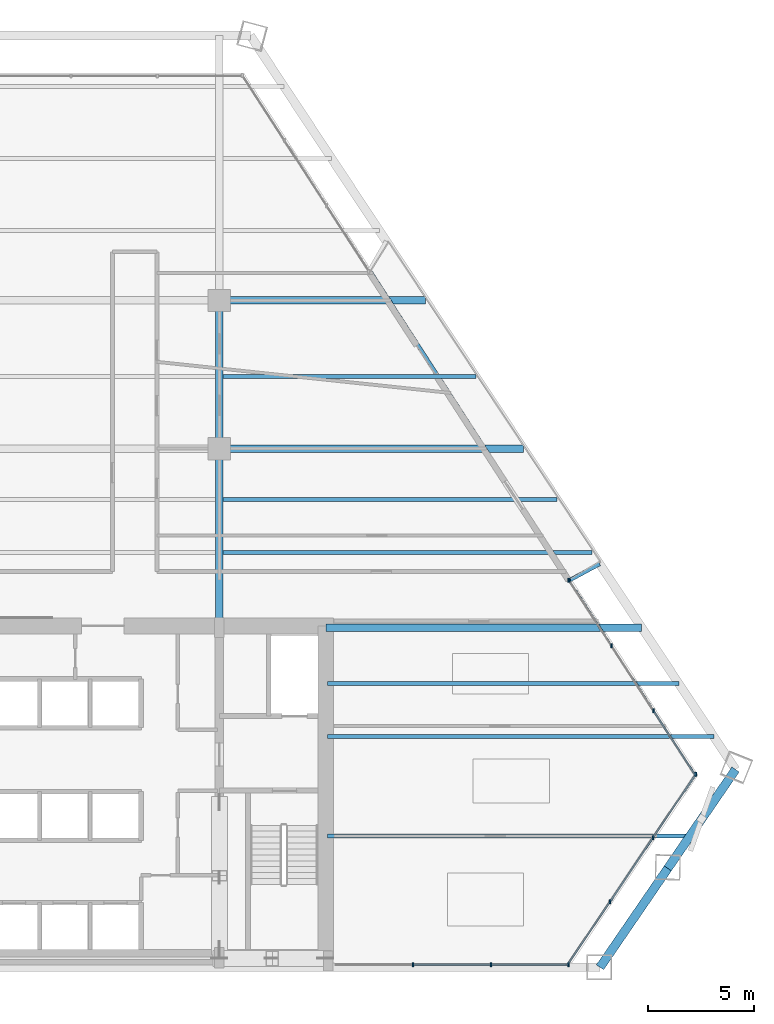
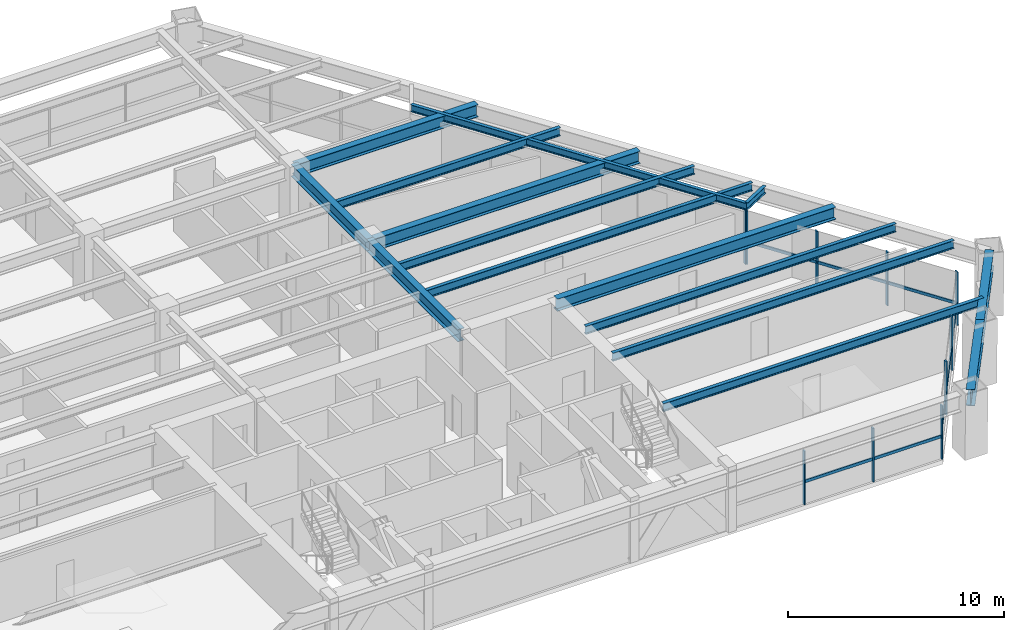
# One storey, part 6 of 14: 18 members, 15 beams, 3 elements without a shape of their own.
"""IFC4 building model written with IfcOpenShell, lengths in metres."""

from ifc_helpers import new_model, si_unit, direction, frame, origin, origin_2d, place, context, subcontext, project, spatial, rectangle, i_section, extrude, source, transform, mapped, material, material_profile, profile_set, type_object, type_shapes, element, aggregate, save


model = new_model("IFC4")

# Units and contexts
model_context = context("Model", 3, precision=1e-05, world=origin(), true_north=direction((0.0, 1.0)))
body_context = subcontext(model_context, "Body", "Model", "MODEL_VIEW")
ifc_project = project(units=[si_unit("LENGTHUNIT", "METRE"), si_unit("AREAUNIT", "SQUARE_METRE"), si_unit("VOLUMEUNIT", "CUBIC_METRE"), si_unit("PLANEANGLEUNIT", "RADIAN"), si_unit("MASSUNIT", "GRAM", prefix="KILO")], contexts=[model_context])

# Site, building, storey
site_placement = place(None, origin())
site = spatial("IfcSite", under=ifc_project, at=site_placement, CompositionType="ELEMENT")
building_placement = place(site_placement, origin())
building = spatial("IfcBuilding", under=site, at=building_placement, Name="Varnakhor Terracotta Tower", CompositionType="ELEMENT")
storey_placement = place(building_placement, frame((0.0, 0.0, 95.10009765625)))
storey = spatial("IfcBuildingStorey", under=building, at=storey_placement, Name="L23", CompositionType="ELEMENT", Elevation=95.10009765625)

# Beams
ifc_material_1 = material(Name="Steel S355", Category="steel")
ifc_material_profile_1 = material_profile(ifc_material_1, i_section(OverallWidth=0.35498046875, OverallDepth=0.695068359375, WebThickness=0.014892578125, FlangeThickness=0.02490234375, FilletRadius=0.01806640625, at=origin_2d()), Name="W27X146")
ifc_profile_set_1 = profile_set([ifc_material_profile_1], Name="Steel S355")
beam_type_1 = type_object("IfcBeamType", Name="BM-W27X146", PredefinedType="BEAM", material=ifc_profile_set_1)
shared_shape_1 = source(origin(), body_context, "Body", "SweptSolid", [
    extrude(i_section(OverallWidth=0.35498046875, OverallDepth=0.695068359375, WebThickness=0.014892578125, FlangeThickness=0.02490234375, FilletRadius=0.01806640625, at=origin_2d()), origin(), (0.0, 0.0, 1.0), 8.449951171875),
])
type_shapes(beam_type_1, [shared_shape_1])
beam_1_placement = place(storey_placement, frame((5.5, 16.050048828125, 3.102294921875), z_axis=(0.0, 1.0, 0.0), x_axis=(-1.0, 0.0, 0.0)))
element("IfcBeam", 1, at=beam_1_placement, inside=storey, type_object=beam_type_1, Name="L23 Primary Girder NS1-E", PredefinedType="BEAM", context=body_context, shape_type="MappedRepresentation", body=[
    mapped(shared_shape_1, transform((0.0, 0.0, 0.0), scale=1.0)),
])
shared_shape_2 = source(origin(), body_context, "Body", "SweptSolid", [
    extrude(i_section(OverallWidth=0.35498046875, OverallDepth=0.695068359375, WebThickness=0.014892578125, FlangeThickness=0.02490234375, FilletRadius=0.01806640625, at=origin_2d()), origin(), (0.0, 0.0, 1.0), 7.0),
])
beam_2_placement = place(storey_placement, frame((5.5, 24.5, 3.102294921875), z_axis=(0.0, 1.0, 0.0), x_axis=(-1.0, 0.0, 0.0)))
element("IfcBeam", 2, at=beam_2_placement, inside=storey, type_object=beam_type_1, Name="L23 Primary Girder NS2-E", PredefinedType="BEAM", context=body_context, shape_type="MappedRepresentation", body=[
    mapped(shared_shape_2, transform((0.0, 0.0, 0.0), scale=1.0)),
])
ifc_material_profile_2 = material_profile(ifc_material_1, i_section(OverallWidth=0.41796875, OverallDepth=0.927001953125, WebThickness=0.01904296875, FlangeThickness=0.031982421875, FilletRadius=0.01806640625, at=origin_2d()), Name="W36X231")
ifc_profile_set_2 = profile_set([ifc_material_profile_2], Name="Steel S355")
beam_type_2 = type_object("IfcBeamType", Name="BM-W36X231", PredefinedType="BEAM", material=ifc_profile_set_2)
shared_shape_3 = source(origin(), body_context, "Body", "SweptSolid", [
    extrude(i_section(OverallWidth=0.41796875, OverallDepth=0.927001953125, WebThickness=0.01904296875, FlangeThickness=0.031982421875, FilletRadius=0.01806640625, at=origin_2d()), origin(), (0.0, 0.0, 1.0), 5.663818359375),
])
for number, where, z_axis, x_axis, name in (
    (3, (23.481689453125, 0.0, 2.986328125), (0.565357457517, 0.824846013041, 0.0), (-0.824846013041, 0.565357457517, 0.0), "L23 Perimeter Spandrel 2"),
    (4, (26.683837890625, 4.671875, 2.986328125), (0.565328129456, 0.824866114012, 0.0), (-0.824866114012, 0.565328129456, 0.0), "L23 Perimeter Spandrel 3"),
):
    element("IfcBeam", number, at=place(storey_placement, frame(where, z_axis=z_axis, x_axis=x_axis)), inside=storey, type_object=beam_type_2, Name=name, PredefinedType="BEAM", context=body_context, shape_type="MappedRepresentation", body=[
        mapped(shared_shape_3, transform((0.0, 0.0, 0.0), scale=1.0)),
    ])
ifc_material_profile_3 = material_profile(ifc_material_1, i_section(OverallWidth=0.179931640625, OverallDepth=0.39990234375, WebThickness=0.008544921875, FlangeThickness=0.013427734375, FilletRadius=0.01806640625, at=origin_2d()), Name="IPE400")
ifc_profile_set_3 = profile_set([ifc_material_profile_3], Name="Steel S355")
beam_type_3 = type_object("IfcBeamType", Name="JST-IPE400", PredefinedType="JOIST", material=ifc_profile_set_3)
shared_shape_4 = source(origin(), body_context, "Body", "SweptSolid", [
    extrude(i_section(OverallWidth=0.179931640625, OverallDepth=0.39990234375, WebThickness=0.008544921875, FlangeThickness=0.013427734375, FilletRadius=0.01806640625, at=origin_2d()), origin(), (0.0, 0.0, 1.0), 17.43212890625),
])
beam_3_placement = place(storey_placement, frame((22.0498046875, 18.286865234375, 3.25), z_axis=(-0.542629198355, 0.839972352576, 0.0), x_axis=(-0.839972352576, -0.542629198355, 0.0)))
element("IfcBeam", 5, at=beam_3_placement, inside=storey, type_object=beam_type_3, Name="L23 Loggia Edge Beam 1", PredefinedType="JOIST", context=body_context, shape_type="MappedRepresentation", body=[
    mapped(shared_shape_4, transform((0.0, 0.0, 0.0), scale=1.0)),
])
shared_shape_5 = source(origin(), body_context, "Body", "SweptSolid", [
    extrude(i_section(OverallWidth=0.35498046875, OverallDepth=0.695068359375, WebThickness=0.014892578125, FlangeThickness=0.02490234375, FilletRadius=0.01806640625, at=origin_2d()), origin(), (0.0, 0.0, 1.0), 14.90185546875),
])
beam_4_placement = place(storey_placement, frame((10.550048828125, 16.050048828125, 3.102294921875), z_axis=(1.0, 0.0, 0.0), x_axis=(0.0, 1.0, 0.0)))
element("IfcBeam", 6, at=beam_4_placement, inside=storey, type_object=beam_type_1, Name="L23 Wing Girder E", PredefinedType="BEAM", context=body_context, shape_type="MappedRepresentation", body=[
    mapped(shared_shape_5, transform((0.0, 0.0, 0.0), scale=1.0)),
])
shared_shape_6 = source(origin(), body_context, "Body", "SweptSolid", [
    extrude(i_section(OverallWidth=0.35498046875, OverallDepth=0.695068359375, WebThickness=0.014892578125, FlangeThickness=0.02490234375, FilletRadius=0.01806640625, at=origin_2d()), origin(), (0.0, 0.0, 1.0), 14.365234375),
])
beam_5_placement = place(storey_placement, frame((5.5, 24.5, 3.102294921875), z_axis=(1.0, 0.0, 0.0), x_axis=(0.0, 1.0, 0.0)))
element("IfcBeam", 7, at=beam_5_placement, inside=storey, type_object=beam_type_1, Name="L23 Primary Girder EW2-3", PredefinedType="BEAM", context=body_context, shape_type="MappedRepresentation", body=[
    mapped(shared_shape_6, transform((0.0, 0.0, 0.0), scale=1.0)),
])
shared_shape_7 = source(origin(), body_context, "Body", "SweptSolid", [
    extrude(i_section(OverallWidth=0.35498046875, OverallDepth=0.695068359375, WebThickness=0.014892578125, FlangeThickness=0.02490234375, FilletRadius=0.01806640625, at=origin_2d()), origin(), (0.0, 0.0, 1.0), 9.737060546875),
])
beam_6_placement = place(storey_placement, frame((5.5, 31.5, 3.102294921875), z_axis=(1.0, 0.0, 0.0), x_axis=(0.0, 1.0, 0.0)))
element("IfcBeam", 8, at=beam_6_placement, inside=storey, type_object=beam_type_1, Name="L23 Primary Girder EW3-3", PredefinedType="BEAM", context=body_context, shape_type="MappedRepresentation", body=[
    mapped(shared_shape_7, transform((0.0, 0.0, 0.0), scale=1.0)),
])
ifc_material_profile_4 = material_profile(ifc_material_1, i_section(OverallWidth=0.19189453125, OverallDepth=0.462890625, WebThickness=0.010498046875, FlangeThickness=0.017578125, FilletRadius=0.01806640625, at=origin_2d()), Name="W18X60")
ifc_profile_set_4 = profile_set([ifc_material_profile_4], Name="Steel S355")
beam_type_4 = type_object("IfcBeamType", Name="JST-W18X60", PredefinedType="JOIST", material=ifc_profile_set_4)
shared_shape_8 = source(origin(), body_context, "Body", "SweptSolid", [
    extrude(i_section(OverallWidth=0.19189453125, OverallDepth=0.462890625, WebThickness=0.010498046875, FlangeThickness=0.017578125, FilletRadius=0.01806640625, at=origin_2d()), origin(), (0.0, 0.0, 1.0), 17.131103515625),
])
beam_7_placement = place(storey_placement, frame((10.60009765625, 6.199951171875, 3.218505859375), z_axis=(1.0, 0.0, 0.0), x_axis=(0.0, 1.0, 0.0)))
element("IfcBeam", 9, at=beam_7_placement, inside=storey, type_object=beam_type_4, Name="L23 Floor Joist E1", PredefinedType="JOIST", context=body_context, shape_type="MappedRepresentation", body=[
    mapped(shared_shape_8, transform((0.0, 0.0, 0.0), scale=1.0)),
])
shared_shape_9 = source(origin(), body_context, "Body", "SweptSolid", [
    extrude(i_section(OverallWidth=0.19189453125, OverallDepth=0.462890625, WebThickness=0.010498046875, FlangeThickness=0.017578125, FilletRadius=0.01806640625, at=origin_2d()), origin(), (0.0, 0.0, 1.0), 18.2568359375),
])
beam_8_placement = place(storey_placement, frame((10.60009765625, 10.89990234375, 3.218505859375), z_axis=(1.0, 0.0, 0.0), x_axis=(0.0, 1.0, 0.0)))
element("IfcBeam", 10, at=beam_8_placement, inside=storey, type_object=beam_type_4, Name="L23 Floor Joist E2", PredefinedType="JOIST", context=body_context, shape_type="MappedRepresentation", body=[
    mapped(shared_shape_9, transform((0.0, 0.0, 0.0), scale=1.0)),
])
shared_shape_10 = source(origin(), body_context, "Body", "SweptSolid", [
    extrude(i_section(OverallWidth=0.19189453125, OverallDepth=0.462890625, WebThickness=0.010498046875, FlangeThickness=0.017578125, FilletRadius=0.01806640625, at=origin_2d()), origin(), (0.0, 0.0, 1.0), 16.60400390625),
])
beam_9_placement = place(storey_placement, frame((10.60009765625, 13.39990234375, 3.218505859375), z_axis=(1.0, 0.0, 0.0), x_axis=(0.0, 1.0, 0.0)))
element("IfcBeam", 11, at=beam_9_placement, inside=storey, type_object=beam_type_4, Name="L23 Floor Joist E3", PredefinedType="JOIST", context=body_context, shape_type="MappedRepresentation", body=[
    mapped(shared_shape_10, transform((0.0, 0.0, 0.0), scale=1.0)),
])
shared_shape_11 = source(origin(), body_context, "Body", "SweptSolid", [
    extrude(i_section(OverallWidth=0.19189453125, OverallDepth=0.462890625, WebThickness=0.010498046875, FlangeThickness=0.017578125, FilletRadius=0.01806640625, at=origin_2d()), origin(), (0.0, 0.0, 1.0), 17.431396484375),
])
beam_10_placement = place(storey_placement, frame((5.673583984375, 19.60009765625, 3.218505859375), z_axis=(1.0, 0.0, 0.0), x_axis=(0.0, 1.0, 0.0)))
element("IfcBeam", 12, at=beam_10_placement, inside=storey, type_object=beam_type_4, Name="L23 Composite Floor Joist 4-3", PredefinedType="JOIST", context=body_context, shape_type="MappedRepresentation", body=[
    mapped(shared_shape_11, transform((0.0, 0.0, 0.0), scale=1.0)),
])
shared_shape_12 = source(origin(), body_context, "Body", "SweptSolid", [
    extrude(i_section(OverallWidth=0.19189453125, OverallDepth=0.462890625, WebThickness=0.010498046875, FlangeThickness=0.017578125, FilletRadius=0.01806640625, at=origin_2d()), origin(), (0.0, 0.0, 1.0), 15.7783203125),
])
beam_11_placement = place(storey_placement, frame((5.673583984375, 22.10009765625, 3.218505859375), z_axis=(1.0, 0.0, 0.0), x_axis=(0.0, 1.0, 0.0)))
element("IfcBeam", 13, at=beam_11_placement, inside=storey, type_object=beam_type_4, Name="L23 Composite Floor Joist 5-3", PredefinedType="JOIST", context=body_context, shape_type="MappedRepresentation", body=[
    mapped(shared_shape_12, transform((0.0, 0.0, 0.0), scale=1.0)),
])
shared_shape_13 = source(origin(), body_context, "Body", "SweptSolid", [
    extrude(i_section(OverallWidth=0.19189453125, OverallDepth=0.462890625, WebThickness=0.010498046875, FlangeThickness=0.017578125, FilletRadius=0.01806640625, at=origin_2d()), origin(), (0.0, 0.0, 1.0), 11.943603515625),
])
beam_12_placement = place(storey_placement, frame((5.673583984375, 27.89990234375, 3.218505859375), z_axis=(1.0, 0.0, 0.0), x_axis=(0.0, 1.0, 0.0)))
element("IfcBeam", 14, at=beam_12_placement, inside=storey, type_object=beam_type_4, Name="L23 Composite Floor Joist 6-3", PredefinedType="JOIST", context=body_context, shape_type="MappedRepresentation", body=[
    mapped(shared_shape_13, transform((0.0, 0.0, 0.0), scale=1.0)),
])

# Curtain wall, members
ifc_material_2 = material(Name="Anodised Aluminium Curtain Wall System", Category="aluminium")
curtain_wall_type = type_object("IfcCurtainWallType", Name="CW-SYS-LOW-OFFICE", PredefinedType="NOTDEFINED", material=ifc_material_2)
curtain_wall_1_placement = place(storey_placement, origin())
curtain_wall_1 = element("IfcCurtainWall", 15, at=curtain_wall_1_placement, inside=storey, type_object=curtain_wall_type, Name="L23 E Facet Curtain Wall 2", PredefinedType="NOTDEFINED")
ifc_material_3 = material(Name="Anodised Aluminium 6063-T6", Category="aluminium")
ifc_material_profile_5 = material_profile(ifc_material_3, rectangle(XDim=0.074951171875, YDim=0.18505859375, at=origin_2d()), Name="ALU MULLION 75x185")
ifc_profile_set_5 = profile_set([ifc_material_profile_5], Name="Anodised Aluminium 6063-T6")
member_type_1 = type_object("IfcMemberType", Name="CWM-02", PredefinedType="MULLION", material=ifc_profile_set_5)
shared_shape_14 = source(origin(), body_context, "Body", "SweptSolid", [
    extrude(rectangle(XDim=0.074951171875, YDim=0.18505859375, at=origin_2d()), origin(), (0.0, 0.0, 1.0), 3.02978515625),
])
member_1_placement = place(storey_placement, frame((22.030029296875, 18.272216796875, 0.0), z_axis=(0.0, 0.0, 1.0), x_axis=(1.0, 0.0, 0.0)))
member_1 = element("IfcMember", 16, at=member_1_placement, type_object=member_type_1, Name="L23 E Facet Curtain Wall 2 Mullion 1", PredefinedType="MULLION", context=body_context, shape_type="MappedRepresentation", body=[
    mapped(shared_shape_14, transform((0.0, 0.0, 0.0), scale=1.0)),
])
member_2_placement = place(storey_placement, frame((24.021484375, 15.19580078125, 0.0), z_axis=(0.0, 0.0, 1.0), x_axis=(1.0, 0.0, 0.0)))
member_2 = element("IfcMember", 17, at=member_2_placement, type_object=member_type_1, Name="L23 E Facet Curtain Wall 2 Mullion 2", PredefinedType="MULLION", context=body_context, shape_type="MappedRepresentation", body=[
    mapped(shared_shape_14, transform((0.0, 0.0, 0.0), scale=1.0)),
])
member_3_placement = place(storey_placement, frame((26.0126953125, 12.119384765625, 0.0), z_axis=(0.0, 0.0, 1.0), x_axis=(1.0, 0.0, 0.0)))
member_3 = element("IfcMember", 18, at=member_3_placement, type_object=member_type_1, Name="L23 E Facet Curtain Wall 2 Mullion 3", PredefinedType="MULLION", context=body_context, shape_type="MappedRepresentation", body=[
    mapped(shared_shape_14, transform((0.0, 0.0, 0.0), scale=1.0)),
])
member_4_placement = place(storey_placement, frame((21.9970703125, 18.28662109375, 0.0), z_axis=(0.0, 0.0, 1.0), x_axis=(1.0, 0.0, 0.0)))
member_4 = element("IfcMember", 19, at=member_4_placement, type_object=member_type_1, Name="L23 E Loggia Jamb Closure Mullion 2", PredefinedType="MULLION", context=body_context, shape_type="MappedRepresentation", body=[
    mapped(shared_shape_14, transform((0.0, 0.0, 0.0), scale=1.0)),
])

curtain_wall_2_placement = place(storey_placement, origin())
curtain_wall_2 = element("IfcCurtainWall", 20, at=curtain_wall_2_placement, inside=storey, type_object=curtain_wall_type, Name="L23 Facet Curtain Wall 4", PredefinedType="NOTDEFINED")
member_5_placement = place(storey_placement, frame((28.0048828125, 9.125, 0.0), z_axis=(0.0, 0.0, 1.0), x_axis=(1.0, 0.0, 0.0)))
member_5 = element("IfcMember", 21, at=member_5_placement, type_object=member_type_1, Name="L23 Facet Curtain Wall 4 Mullion 1", PredefinedType="MULLION", context=body_context, shape_type="MappedRepresentation", body=[
    mapped(shared_shape_14, transform((0.0, 0.0, 0.0), scale=1.0)),
])
member_6_placement = place(storey_placement, frame((25.97998046875, 6.114013671875, 0.0), z_axis=(0.0, 0.0, 1.0), x_axis=(1.0, 0.0, 0.0)))
member_6 = element("IfcMember", 22, at=member_6_placement, type_object=member_type_1, Name="L23 Facet Curtain Wall 4 Mullion 2", PredefinedType="MULLION", context=body_context, shape_type="MappedRepresentation", body=[
    mapped(shared_shape_14, transform((0.0, 0.0, 0.0), scale=1.0)),
])
member_7_placement = place(storey_placement, frame((23.955078125, 3.102783203125, 0.0), z_axis=(0.0, 0.0, 1.0), x_axis=(1.0, 0.0, 0.0)))
member_7 = element("IfcMember", 23, at=member_7_placement, type_object=member_type_1, Name="L23 Facet Curtain Wall 4 Mullion 3", PredefinedType="MULLION", context=body_context, shape_type="MappedRepresentation", body=[
    mapped(shared_shape_14, transform((0.0, 0.0, 0.0), scale=1.0)),
])

curtain_wall_3_placement = place(storey_placement, origin())
curtain_wall_3 = element("IfcCurtainWall", 24, at=curtain_wall_3_placement, inside=storey, type_object=curtain_wall_type, Name="L23 South Wing Curtain Wall SSE", PredefinedType="NOTDEFINED")
member_8_placement = place(storey_placement, frame((22.0029296875, 0.1201171875, 0.0), z_axis=(0.0, 0.0, 1.0), x_axis=(1.0, 0.0, 0.0)))
member_8 = element("IfcMember", 25, at=member_8_placement, type_object=member_type_1, Name="L23 South Wing Curtain Wall SSE Mullion 1", PredefinedType="MULLION", context=body_context, shape_type="MappedRepresentation", body=[
    mapped(shared_shape_14, transform((0.0, 0.0, 0.0), scale=1.0)),
])
member_9_placement = place(storey_placement, frame((18.3251953125, 0.1201171875, 0.0), z_axis=(0.0, 0.0, 1.0), x_axis=(1.0, 0.0, 0.0)))
member_9 = element("IfcMember", 26, at=member_9_placement, type_object=member_type_1, Name="L23 South Wing Curtain Wall SSE Mullion 2", PredefinedType="MULLION", context=body_context, shape_type="MappedRepresentation", body=[
    mapped(shared_shape_14, transform((0.0, 0.0, 0.0), scale=1.0)),
])
member_10_placement = place(storey_placement, frame((14.647705078125, 0.1201171875, 0.0), z_axis=(0.0, 0.0, 1.0), x_axis=(1.0, 0.0, 0.0)))
member_10 = element("IfcMember", 27, at=member_10_placement, type_object=member_type_1, Name="L23 South Wing Curtain Wall SSE Mullion 3", PredefinedType="MULLION", context=body_context, shape_type="MappedRepresentation", body=[
    mapped(shared_shape_14, transform((0.0, 0.0, 0.0), scale=1.0)),
])
ifc_material_profile_6 = material_profile(ifc_material_3, rectangle(XDim=0.074951171875, YDim=0.1650390625, at=origin_2d()), Name="ALU TRANSOM 75x165")
ifc_profile_set_6 = profile_set([ifc_material_profile_6], Name="Anodised Aluminium 6063-T6")
member_type_2 = type_object("IfcMemberType", Name="CWT-02", PredefinedType="USERDEFINED", material=ifc_profile_set_6)
shared_shape_15 = source(origin(), body_context, "Body", "SweptSolid", [
    extrude(rectangle(XDim=0.074951171875, YDim=0.1650390625, at=origin_2d()), origin(), (0.0, 0.0, 1.0), 3.677734375),
])
member_11_placement = place(storey_placement, frame((22.0029296875, 0.1201171875, 1.2724609375), z_axis=(-1.0, 0.0, 0.0), x_axis=(0.0, -1.0, 0.0)))
member_11 = element("IfcMember", 28, at=member_11_placement, type_object=member_type_2, Name="L23 South Wing Curtain Wall SSE Transom 1", ObjectType="TRANSOM", PredefinedType="USERDEFINED", context=body_context, shape_type="MappedRepresentation", body=[
    mapped(shared_shape_15, transform((0.0, 0.0, 0.0), scale=1.0)),
])

# Member
shared_shape_16 = source(origin(), body_context, "Body", "SweptSolid", [
    extrude(rectangle(XDim=0.074951171875, YDim=0.1650390625, at=origin_2d()), origin(), (0.0, 0.0, 1.0), 3.6650390625),
])
member_12_placement = place(storey_placement, frame((26.0126953125, 12.119384765625, 1.2724609375), z_axis=(0.543381090281, -0.839486146833, 0.0), x_axis=(0.839486146833, 0.543381090281, 0.0)))
member_12 = element("IfcMember", 29, at=member_12_placement, type_object=member_type_2, Name="L23 E Facet Curtain Wall 2 Transom 3", ObjectType="TRANSOM", PredefinedType="USERDEFINED", context=body_context, shape_type="MappedRepresentation", body=[
    mapped(shared_shape_16, transform((0.0, 0.0, 0.0), scale=1.0)),
])

shared_shape_17 = source(origin(), body_context, "Body", "SweptSolid", [
    extrude(rectangle(XDim=0.074951171875, YDim=0.1650390625, at=origin_2d()), origin(), (0.0, 0.0, 1.0), 3.664794921875),
])
member_13_placement = place(storey_placement, frame((22.030029296875, 18.272216796875, 1.2724609375), z_axis=(0.543411478924, -0.839466476146, 0.0), x_axis=(0.839466476146, 0.543411478924, 0.0)))
member_13 = element("IfcMember", 30, at=member_13_placement, type_object=member_type_2, Name="L23 E Facet Curtain Wall 2 Transom 1", ObjectType="TRANSOM", PredefinedType="USERDEFINED", context=body_context, shape_type="MappedRepresentation", body=[
    mapped(shared_shape_17, transform((0.0, 0.0, 0.0), scale=1.0)),
])

shared_shape_18 = source(origin(), body_context, "Body", "SweptSolid", [
    extrude(rectangle(XDim=0.074951171875, YDim=0.1650390625, at=origin_2d()), origin(), (0.0, 0.0, 1.0), 3.66455078125),
])
member_14_placement = place(storey_placement, frame((24.021484375, 15.19580078125, 1.2724609375), z_axis=(0.543364529676, -0.83949686592, 0.0), x_axis=(0.83949686592, 0.543364529676, 0.0)))
member_14 = element("IfcMember", 31, at=member_14_placement, type_object=member_type_2, Name="L23 E Facet Curtain Wall 2 Transom 2", ObjectType="TRANSOM", PredefinedType="USERDEFINED", context=body_context, shape_type="MappedRepresentation", body=[
    mapped(shared_shape_18, transform((0.0, 0.0, 0.0), scale=1.0)),
])

aggregate(curtain_wall_1, [member_1, member_13, member_2, member_14, member_3, member_12, member_4])

shared_shape_19 = source(origin(), body_context, "Body", "SweptSolid", [
    extrude(rectangle(XDim=0.074951171875, YDim=0.1650390625, at=origin_2d()), origin(), (0.0, 0.0, 1.0), 3.62841796875),
])
member_15_placement = place(storey_placement, frame((28.0048828125, 9.125, 1.2724609375), z_axis=(-0.558049514701, -0.829807651894, 0.0), x_axis=(0.829807651894, -0.558049514701, 0.0)))
member_15 = element("IfcMember", 32, at=member_15_placement, type_object=member_type_2, Name="L23 Facet Curtain Wall 4 Transom 1", ObjectType="TRANSOM", PredefinedType="USERDEFINED", context=body_context, shape_type="MappedRepresentation", body=[
    mapped(shared_shape_19, transform((0.0, 0.0, 0.0), scale=1.0)),
])

member_16_placement = place(storey_placement, frame((23.955078125, 3.102783203125, 1.2724609375), z_axis=(-0.558049514701, -0.829807651894, 0.0), x_axis=(0.829807651894, -0.558049514701, 0.0)))
member_16 = element("IfcMember", 33, at=member_16_placement, type_object=member_type_2, Name="L23 Facet Curtain Wall 4 Transom 3", ObjectType="TRANSOM", PredefinedType="USERDEFINED", context=body_context, shape_type="MappedRepresentation", body=[
    mapped(shared_shape_19, transform((0.0, 0.0, 0.0), scale=1.0)),
])

shared_shape_20 = source(origin(), body_context, "Body", "SweptSolid", [
    extrude(rectangle(XDim=0.074951171875, YDim=0.1650390625, at=origin_2d()), origin(), (0.0, 0.0, 1.0), 3.628662109375),
])
member_17_placement = place(storey_placement, frame((25.97998046875, 6.114013671875, 1.2724609375), z_axis=(-0.558018358815, -0.829828603523, 0.0), x_axis=(0.829828603523, -0.558018358815, 0.0)))
member_17 = element("IfcMember", 34, at=member_17_placement, type_object=member_type_2, Name="L23 Facet Curtain Wall 4 Transom 2", ObjectType="TRANSOM", PredefinedType="USERDEFINED", context=body_context, shape_type="MappedRepresentation", body=[
    mapped(shared_shape_20, transform((0.0, 0.0, 0.0), scale=1.0)),
])

aggregate(curtain_wall_2, [member_5, member_15, member_6, member_17, member_7, member_16])

shared_shape_21 = source(origin(), body_context, "Body", "SweptSolid", [
    extrude(rectangle(XDim=0.074951171875, YDim=0.1650390625, at=origin_2d()), origin(), (0.0, 0.0, 1.0), 3.677490234375),
])
member_18_placement = place(storey_placement, frame((18.3251953125, 0.1201171875, 1.2724609375), z_axis=(-1.0, 0.0, 0.0), x_axis=(0.0, -1.0, 0.0)))
member_18 = element("IfcMember", 35, at=member_18_placement, type_object=member_type_2, Name="L23 South Wing Curtain Wall SSE Transom 2", ObjectType="TRANSOM", PredefinedType="USERDEFINED", context=body_context, shape_type="MappedRepresentation", body=[
    mapped(shared_shape_21, transform((0.0, 0.0, 0.0), scale=1.0)),
])

aggregate(curtain_wall_3, [member_8, member_11, member_9, member_18, member_10])

# Beam
shared_shape_22 = source(origin(), body_context, "Body", "SweptSolid", [
    extrude(i_section(OverallWidth=0.179931640625, OverallDepth=0.39990234375, WebThickness=0.008544921875, FlangeThickness=0.013427734375, FilletRadius=0.01806640625, at=origin_2d()), origin(), (0.0, 0.0, 1.0), 1.61083984375),
])
beam_13_placement = place(storey_placement, frame((22.0498046875, 18.286865234375, 3.25), z_axis=(0.880144815806, 0.474705280369, 0.0), x_axis=(-0.474705280369, 0.880144815806, 0.0)))
element("IfcBeam", 36, at=beam_13_placement, inside=storey, type_object=beam_type_3, Name="L24 E Loggia Tie Beam 2", PredefinedType="JOIST", context=body_context, shape_type="MappedRepresentation", body=[
    mapped(shared_shape_22, transform((0.0, 0.0, 0.0), scale=1.0)),
])

save(model, "model.ifc")
